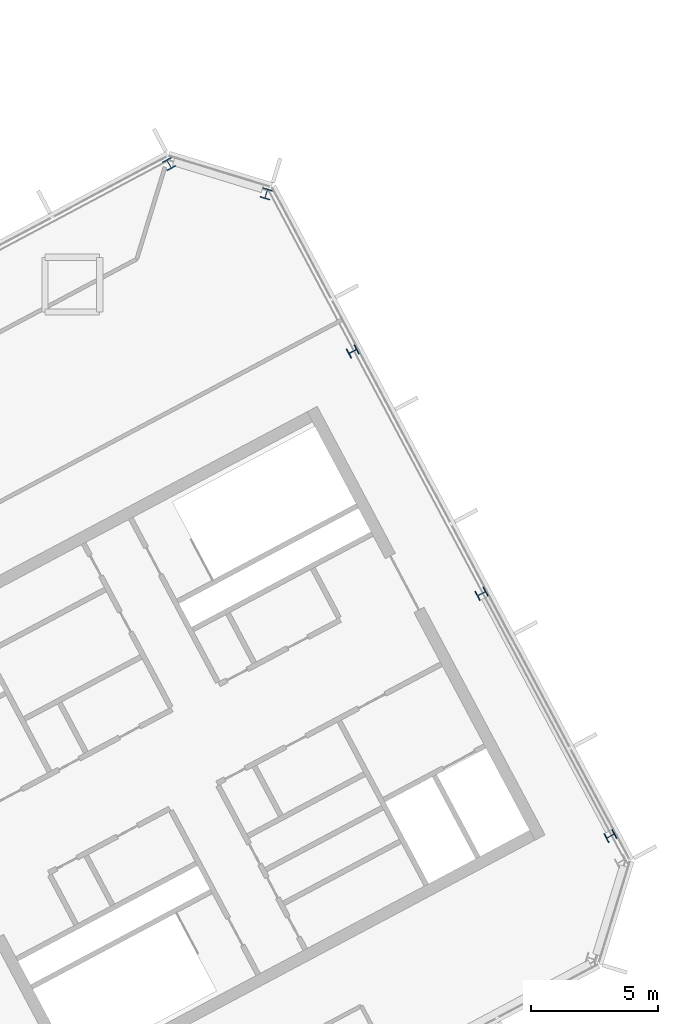
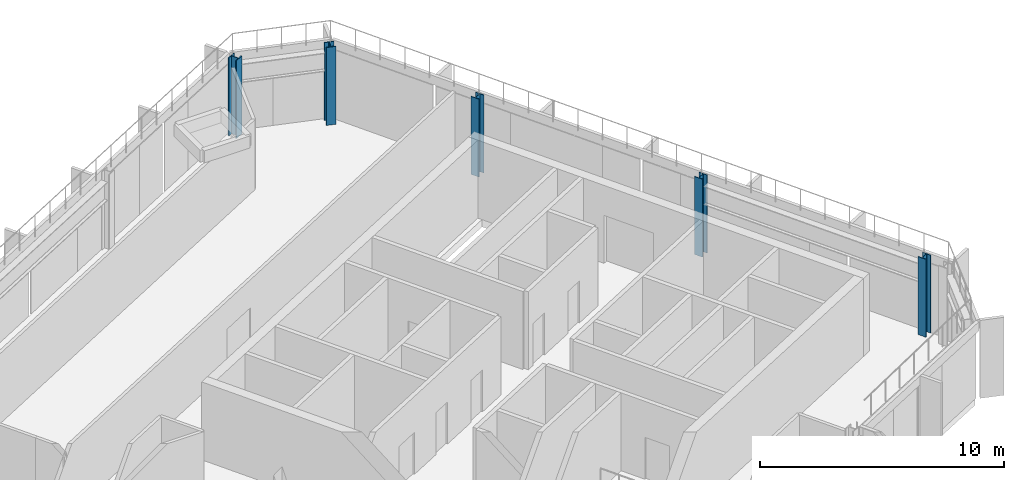
# One storey, part 10 of 35: 5 columns.
"""IFC4 building model written with IfcOpenShell, lengths in metres."""

from ifc_helpers import new_model, si_unit, direction, frame, origin, origin_2d, place, context, subcontext, project, spatial, i_section, extrude, material, material_profile, profile_set, type_object, element, save


model = new_model("IFC4")

# Units and contexts
model_context = context("Model", 3, precision=1e-05, world=origin(), true_north=direction((0.0, 1.0)))
body_context = subcontext(model_context, "Body", "Model", "MODEL_VIEW")
ifc_project = project(units=[si_unit("LENGTHUNIT", "METRE"), si_unit("AREAUNIT", "SQUARE_METRE"), si_unit("VOLUMEUNIT", "CUBIC_METRE"), si_unit("PLANEANGLEUNIT", "RADIAN"), si_unit("MASSUNIT", "GRAM", prefix="KILO")], contexts=[model_context])

# Site, building, storey
site_placement = place(None, origin())
site = spatial("IfcSite", under=ifc_project, at=site_placement, CompositionType="ELEMENT")
building_placement = place(site_placement, origin())
building = spatial("IfcBuilding", under=site, at=building_placement, Name="Cormorant Relay Tower", CompositionType="ELEMENT")
storey_placement = place(building_placement, frame((0.0, 0.0, 324.300048828125)))
storey = spatial("IfcBuildingStorey", under=building, at=storey_placement, Name="L74", CompositionType="ELEMENT", Elevation=324.300048828125)

# Columns
ifc_material_1 = material(Name="Steel ASTM A992 (Fy 345 MPa)", Category="steel")
ifc_material_profile_1 = material_profile(ifc_material_1, i_section(OverallWidth=0.398681640625, OverallDepth=0.385986328125, WebThickness=0.02099609375, FlangeThickness=0.033203125, FilletRadius=0.01513671875, at=origin_2d()), Name="W360x262")
ifc_profile_set_1 = profile_set([ifc_material_profile_1], Name="Steel ASTM A992 (Fy 345 MPa)")
column_type_1 = type_object("IfcColumnType", Name="Column W360x262", PredefinedType="COLUMN", material=ifc_profile_set_1)
for number, where, z_axis, x_axis, name in (
    (1, (40.2119140625, 9.14892578125, 0.0), (0.0, 0.0, 1.0), (-0.469471562786, 0.882947592859, 0.0), "Column L74-021"),
    (2, (35.14111328125, 18.68505859375, 0.0), (0.0, 0.0, 1.0), (-0.469471562786, 0.882947592859, 0.0), "Column L74-027"),
    (3, (30.071044921875, 28.220947265625, 0.0), (0.0, 0.0, 1.0), (-0.469471562786, 0.882947592859, 0.0), "Column L74-033"),
):
    element("IfcColumn", number, at=place(storey_placement, frame(where, z_axis=z_axis, x_axis=x_axis)), inside=storey, type_object=column_type_1, Name=name, PredefinedType="COLUMN", context=body_context, shape_type="SweptSolid", body=[
        extrude(i_section(OverallWidth=0.398681640625, OverallDepth=0.385986328125, WebThickness=0.02099609375, FlangeThickness=0.033203125, FilletRadius=0.01513671875, at=origin_2d()), origin(), (0.0, 0.0, 1.0), 3.89990234375),
    ])
ifc_material_2 = material(Name="Steel ASTM A992 (Fy 345 MPa)", Category="steel")
ifc_material_profile_2 = material_profile(ifc_material_2, i_section(OverallWidth=0.40380859375, OverallDepth=0.406494140625, WebThickness=0.027099609375, FlangeThickness=0.043701171875, FilletRadius=0.01513671875, at=origin_2d()), Name="W360x347")
ifc_profile_set_2 = profile_set([ifc_material_profile_2], Name="Steel ASTM A992 (Fy 345 MPa)")
column_type_2 = type_object("IfcColumnType", Name="Column W360x347", PredefinedType="COLUMN", material=ifc_profile_set_2)
for number, where, z_axis, x_axis, name in (
    (4, (26.6640625, 34.425048828125, 0.0), (0.0, 0.0, 1.0), (-0.956304755963, 0.292371704723, 0.0), "Column L74-038"),
    (5, (22.841064453125, 35.593994140625, 0.0), (0.0, 0.0, 1.0), (-0.882947592859, -0.469471562786, 0.0), "Column L74-039"),
):
    element("IfcColumn", number, at=place(storey_placement, frame(where, z_axis=z_axis, x_axis=x_axis)), inside=storey, type_object=column_type_2, Name=name, PredefinedType="COLUMN", context=body_context, shape_type="SweptSolid", body=[
        extrude(i_section(OverallWidth=0.40380859375, OverallDepth=0.406494140625, WebThickness=0.027099609375, FlangeThickness=0.043701171875, FilletRadius=0.01513671875, at=origin_2d()), origin(), (0.0, 0.0, 1.0), 3.89990234375),
    ])

save(model, "model.ifc")
